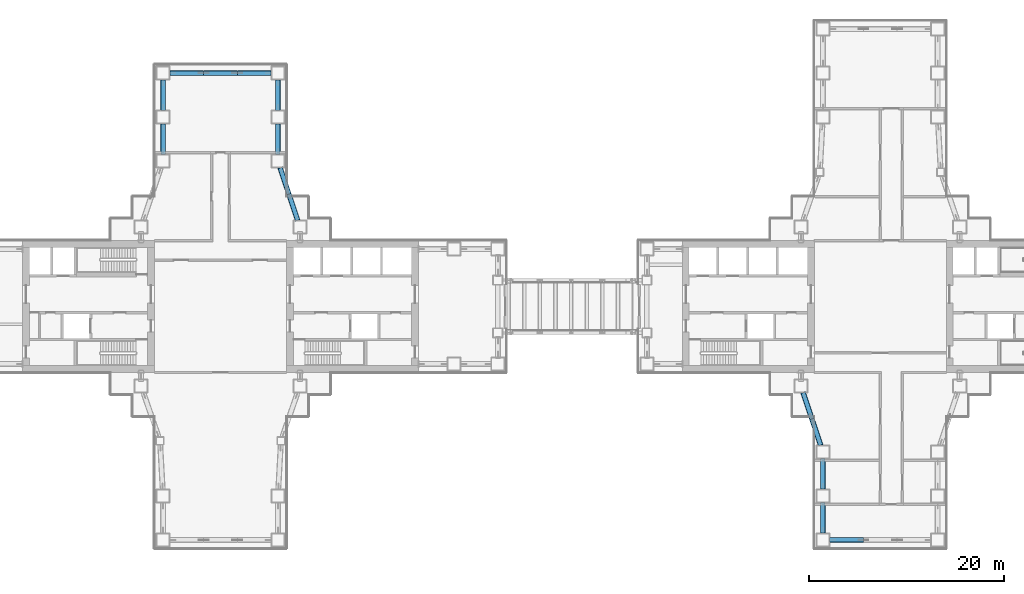
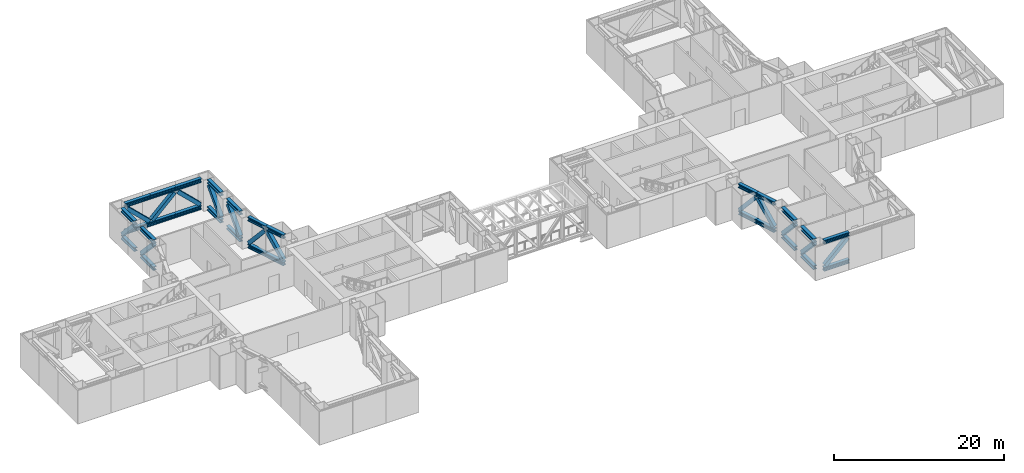
# One storey, part 5 of 23: 42 members.
"""IFC4 building model written with IfcOpenShell, lengths in metres."""

from ifc_helpers import new_model, si_unit, direction, frame, origin, origin_2d, place, context, subcontext, project, spatial, hollow_rectangle, i_section, extrude, material, material_profile, profile_set, type_object, element, save


model = new_model("IFC4")

# Units and contexts
model_context = context("Model", 3, precision=1e-05, world=origin(), true_north=direction((0.0, 1.0)))
body_context = subcontext(model_context, "Body", "Model", "MODEL_VIEW")
ifc_project = project(units=[si_unit("LENGTHUNIT", "METRE"), si_unit("AREAUNIT", "SQUARE_METRE"), si_unit("VOLUMEUNIT", "CUBIC_METRE"), si_unit("PLANEANGLEUNIT", "RADIAN"), si_unit("MASSUNIT", "GRAM", prefix="KILO")], contexts=[model_context])

# Site, building, storey
site_placement = place(None, origin())
site = spatial("IfcSite", under=ifc_project, at=site_placement, CompositionType="ELEMENT")
building_placement = place(site_placement, origin())
building = spatial("IfcBuilding", under=site, at=building_placement, Name="Shamsa Quay Exchange Towers", CompositionType="ELEMENT")
storey_placement = place(building_placement, frame((0.0, 0.0, 77.10009765625)))
storey = spatial("IfcBuildingStorey", under=building, at=storey_placement, Name="L17", CompositionType="ELEMENT", Elevation=77.10009765625)

# Members
ifc_material = material(Name="Steel S355", Category="steel")
ifc_material_profile_1 = material_profile(ifc_material, i_section(OverallWidth=0.454345703125, OverallDepth=0.569580078125, WebThickness=0.077880859375, FlangeThickness=0.124755859375, at=origin_2d()), Name="W14x730")
ifc_profile_set_1 = profile_set([ifc_material_profile_1], Name="Steel S355")
member_type_1 = type_object("IfcMemberType", Name="Belt chord W14x730", PredefinedType="CHORD", material=ifc_profile_set_1)
for number, where, z_axis, x_axis, name in (
    (1, (-25.8583984375, 8.824951171875, 4.1650390625), (-0.316201790943, 0.948691956013, 0.0), (-0.948691956013, -0.316201790943, 0.0), "Belt truss chord T1 L17 20"),
    (2, (-25.8583984375, 8.824951171875, 0.28466796875), (-0.316201790943, 0.948691956013, 0.0), (-0.948691956013, -0.316201790943, 0.0), "Belt truss chord T1 L17 20"),
    (3, (-26.75, 11.5, 4.1650390625), (-0.316201790943, 0.948691956013, 0.0), (-0.948691956013, -0.316201790943, 0.0), "Belt truss chord T1 L17 20"),
    (4, (-26.75, 11.5, 0.28466796875), (-0.316201790943, 0.948691956013, 0.0), (-0.948691956013, -0.316201790943, 0.0), "Belt truss chord T1 L17 20"),
):
    element("IfcMember", number, at=place(storey_placement, frame(where, z_axis=z_axis, x_axis=x_axis)), inside=storey, type_object=member_type_1, Name=name, PredefinedType="CHORD", context=body_context, shape_type="SweptSolid", body=[
        extrude(i_section(OverallWidth=0.454345703125, OverallDepth=0.569580078125, WebThickness=0.077880859375, FlangeThickness=0.124755859375, at=origin_2d()), origin(), (0.0, 0.0, 1.0), 2.81982421875),
    ])
for number, where, z_axis, x_axis, name in (
    (5, (-27.875, 15.574951171875, 4.1650390625), (0.0, 1.0, 0.0), (-1.0, 0.0, 0.0), "Belt truss chord T1 L17 21"),
    (6, (-27.875, 15.574951171875, 0.28466796875), (0.0, 1.0, 0.0), (-1.0, 0.0, 0.0), "Belt truss chord T1 L17 21"),
    (7, (-27.875, 20.074951171875, 4.1650390625), (0.0, 1.0, 0.0), (-1.0, 0.0, 0.0), "Belt truss chord T1 L17 22"),
    (8, (-27.875, 20.074951171875, 0.28466796875), (0.0, 1.0, 0.0), (-1.0, 0.0, 0.0), "Belt truss chord T1 L17 22"),
):
    element("IfcMember", number, at=place(storey_placement, frame(where, z_axis=z_axis, x_axis=x_axis)), inside=storey, type_object=member_type_1, Name=name, PredefinedType="CHORD", context=body_context, shape_type="SweptSolid", body=[
        extrude(i_section(OverallWidth=0.454345703125, OverallDepth=0.569580078125, WebThickness=0.077880859375, FlangeThickness=0.124755859375, at=origin_2d()), origin(), (0.0, 0.0, 1.0), 3.10009765625),
    ])
for number, where, z_axis, x_axis, name in (
    (9, (-28.574951171875, 23.875, 4.1650390625), (-1.0, 0.0, 0.0), (0.0, -1.0, 0.0), "Belt truss chord T1 L17 23"),
    (10, (-28.574951171875, 23.875, 0.28466796875), (-1.0, 0.0, 0.0), (0.0, -1.0, 0.0), "Belt truss chord T1 L17 23"),
):
    element("IfcMember", number, at=place(storey_placement, frame(where, z_axis=z_axis, x_axis=x_axis)), inside=storey, type_object=member_type_1, Name=name, PredefinedType="CHORD", context=body_context, shape_type="SweptSolid", body=[
        extrude(i_section(OverallWidth=0.454345703125, OverallDepth=0.569580078125, WebThickness=0.077880859375, FlangeThickness=0.124755859375, at=origin_2d()), origin(), (0.0, 0.0, 1.0), 3.449951171875),
    ])
for number, where, z_axis, x_axis, name in (
    (11, (-32.02490234375, 23.875, 4.1650390625), (-1.0, 0.0, 0.0), (0.0, -1.0, 0.0), "Belt truss chord T1 L17 23"),
    (12, (-32.02490234375, 23.875, 0.28466796875), (-1.0, 0.0, 0.0), (0.0, -1.0, 0.0), "Belt truss chord T1 L17 23"),
):
    element("IfcMember", number, at=place(storey_placement, frame(where, z_axis=z_axis, x_axis=x_axis)), inside=storey, type_object=member_type_1, Name=name, PredefinedType="CHORD", context=body_context, shape_type="SweptSolid", body=[
        extrude(i_section(OverallWidth=0.454345703125, OverallDepth=0.569580078125, WebThickness=0.077880859375, FlangeThickness=0.124755859375, at=origin_2d()), origin(), (0.0, 0.0, 1.0), 3.4501953125),
    ])
for number, where, z_axis, x_axis, name in (
    (13, (-35.47509765625, 23.875, 4.1650390625), (-1.0, 0.0, 0.0), (0.0, -1.0, 0.0), "Belt truss chord T1 L17 23"),
    (14, (-35.47509765625, 23.875, 0.28466796875), (-1.0, 0.0, 0.0), (0.0, -1.0, 0.0), "Belt truss chord T1 L17 23"),
):
    element("IfcMember", number, at=place(storey_placement, frame(where, z_axis=z_axis, x_axis=x_axis)), inside=storey, type_object=member_type_1, Name=name, PredefinedType="CHORD", context=body_context, shape_type="SweptSolid", body=[
        extrude(i_section(OverallWidth=0.454345703125, OverallDepth=0.569580078125, WebThickness=0.077880859375, FlangeThickness=0.124755859375, at=origin_2d()), origin(), (0.0, 0.0, 1.0), 3.449951171875),
    ])
for number, where, z_axis, x_axis, name in (
    (15, (-39.625, 23.175048828125, 4.1650390625), (0.0, -1.0, 0.0), (1.0, 0.0, 0.0), "Belt truss chord T1 L17 24"),
    (16, (-39.625, 23.175048828125, 0.28466796875), (0.0, -1.0, 0.0), (1.0, 0.0, 0.0), "Belt truss chord T1 L17 24"),
    (17, (-39.625, 18.675048828125, 4.1650390625), (0.0, -1.0, 0.0), (1.0, 0.0, 0.0), "Belt truss chord T1 L17 25"),
    (18, (-39.625, 18.675048828125, 0.28466796875), (0.0, -1.0, 0.0), (1.0, 0.0, 0.0), "Belt truss chord T1 L17 25"),
):
    element("IfcMember", number, at=place(storey_placement, frame(where, z_axis=z_axis, x_axis=x_axis)), inside=storey, type_object=member_type_1, Name=name, PredefinedType="CHORD", context=body_context, shape_type="SweptSolid", body=[
        extrude(i_section(OverallWidth=0.454345703125, OverallDepth=0.569580078125, WebThickness=0.077880859375, FlangeThickness=0.124755859375, at=origin_2d()), origin(), (0.0, 0.0, 1.0), 3.10009765625),
    ])
for number, where, z_axis, x_axis, name in (
    (19, (25.8583984375, -8.824951171875, 4.1650390625), (0.316201790943, -0.948691956013, 0.0), (0.948691956013, 0.316201790943, 0.0), "Belt truss chord T2 L17 3"),
    (20, (25.8583984375, -8.824951171875, 0.28466796875), (0.316201790943, -0.948691956013, 0.0), (0.948691956013, 0.316201790943, 0.0), "Belt truss chord T2 L17 3"),
    (21, (26.75, -11.5, 4.1650390625), (0.316201790943, -0.948691956013, 0.0), (0.948691956013, 0.316201790943, 0.0), "Belt truss chord T2 L17 3"),
    (22, (26.75, -11.5, 0.28466796875), (0.316201790943, -0.948691956013, 0.0), (0.948691956013, 0.316201790943, 0.0), "Belt truss chord T2 L17 3"),
):
    element("IfcMember", number, at=place(storey_placement, frame(where, z_axis=z_axis, x_axis=x_axis)), inside=storey, type_object=member_type_1, Name=name, PredefinedType="CHORD", context=body_context, shape_type="SweptSolid", body=[
        extrude(i_section(OverallWidth=0.454345703125, OverallDepth=0.569580078125, WebThickness=0.077880859375, FlangeThickness=0.124755859375, at=origin_2d()), origin(), (0.0, 0.0, 1.0), 2.81982421875),
    ])
for number, where, z_axis, x_axis, name in (
    (23, (27.875, -15.574951171875, 4.1650390625), (0.0, -1.0, 0.0), (1.0, 0.0, 0.0), "Belt truss chord T2 L17 4"),
    (24, (27.875, -15.574951171875, 0.28466796875), (0.0, -1.0, 0.0), (1.0, 0.0, 0.0), "Belt truss chord T2 L17 4"),
    (25, (27.875, -20.074951171875, 4.1650390625), (0.0, -1.0, 0.0), (1.0, 0.0, 0.0), "Belt truss chord T2 L17 5"),
    (26, (27.875, -20.074951171875, 0.28466796875), (0.0, -1.0, 0.0), (1.0, 0.0, 0.0), "Belt truss chord T2 L17 5"),
):
    element("IfcMember", number, at=place(storey_placement, frame(where, z_axis=z_axis, x_axis=x_axis)), inside=storey, type_object=member_type_1, Name=name, PredefinedType="CHORD", context=body_context, shape_type="SweptSolid", body=[
        extrude(i_section(OverallWidth=0.454345703125, OverallDepth=0.569580078125, WebThickness=0.077880859375, FlangeThickness=0.124755859375, at=origin_2d()), origin(), (0.0, 0.0, 1.0), 3.10009765625),
    ])
for number, where, z_axis, x_axis, name in (
    (27, (28.574951171875, -23.875, 4.1650390625), (1.0, 0.0, 0.0), (0.0, 1.0, 0.0), "Belt truss chord T2 L17 6"),
    (28, (28.574951171875, -23.875, 0.28466796875), (1.0, 0.0, 0.0), (0.0, 1.0, 0.0), "Belt truss chord T2 L17 6"),
):
    element("IfcMember", number, at=place(storey_placement, frame(where, z_axis=z_axis, x_axis=x_axis)), inside=storey, type_object=member_type_1, Name=name, PredefinedType="CHORD", context=body_context, shape_type="SweptSolid", body=[
        extrude(i_section(OverallWidth=0.454345703125, OverallDepth=0.569580078125, WebThickness=0.077880859375, FlangeThickness=0.124755859375, at=origin_2d()), origin(), (0.0, 0.0, 1.0), 3.449951171875),
    ])
ifc_material_profile_2 = material_profile(ifc_material, hollow_rectangle(XDim=0.508056640625, YDim=0.508056640625, WallThickness=0.01904296875, at=origin_2d()), Name="HSS20x20x3/4")
ifc_profile_set_2 = profile_set([ifc_material_profile_2], Name="Steel S355")
member_type_2 = type_object("IfcMemberType", Name="Belt diagonal HSS20x20x3/4", PredefinedType="BRACE", material=ifc_profile_set_2)
for number, where, z_axis, x_axis, name in (
    (29, (-25.902587890625, 8.9580078125, 0.734130859375), (-0.205029563551, 0.615088690654, 0.761333554166), (-0.948683298051, -0.316227766017, 0.0), "Belt truss diagonal T1 L17 20"),
    (30, (-27.597412109375, 14.0419921875, 0.734130859375), (0.205029563551, -0.615088690654, 0.761333554166), (0.948683298051, 0.316227766017, 0.0), "Belt truss diagonal T1 L17 20"),
):
    element("IfcMember", number, at=place(storey_placement, frame(where, z_axis=z_axis, x_axis=x_axis)), inside=storey, type_object=member_type_2, Name=name, PredefinedType="BRACE", context=body_context, shape_type="SweptSolid", body=[
        extrude(hollow_rectangle(XDim=0.508056640625, YDim=0.508056640625, WallThickness=0.01904296875, at=origin_2d()), origin(), (0.0, 0.0, 1.0), 3.91650390625),
    ])
for number, where, z_axis, x_axis, name in (
    (31, (-27.875, 15.737548828125, 0.742919921875), (0.0, 0.683452924295, 0.729994589208), (-1.0, 0.0, 0.0), "Belt truss diagonal T1 L17 21"),
    (32, (-27.875, 20.237548828125, 0.742919921875), (0.0, 0.683452924295, 0.729994589208), (-1.0, 0.0, 0.0), "Belt truss diagonal T1 L17 22"),
):
    element("IfcMember", number, at=place(storey_placement, frame(where, z_axis=z_axis, x_axis=x_axis)), inside=storey, type_object=member_type_2, Name=name, PredefinedType="BRACE", context=body_context, shape_type="SweptSolid", body=[
        extrude(hollow_rectangle(XDim=0.508056640625, YDim=0.508056640625, WallThickness=0.01904296875, at=origin_2d()), origin(), (0.0, 0.0, 1.0), 4.06005859375),
    ])
member_1_placement = place(storey_placement, frame((-28.765869140625, 23.875, 0.752685546875), z_axis=(-0.721511218658, 0.0, 0.692402745048), x_axis=(0.0, -1.0, 0.0)))
element("IfcMember", 33, at=member_1_placement, inside=storey, type_object=member_type_2, Name="Belt truss diagonal T1 L17 23", PredefinedType="BRACE", context=body_context, shape_type="SweptSolid", body=[
    extrude(hollow_rectangle(XDim=0.508056640625, YDim=0.508056640625, WallThickness=0.01904296875, at=origin_2d()), origin(), (0.0, 0.0, 1.0), 4.25244140625),
])
member_2_placement = place(storey_placement, frame((-35.283935546875, 23.875, 0.752685546875), z_axis=(0.72148369184, 0.0, 0.692431427947), x_axis=(0.0, 1.0, 0.0)))
element("IfcMember", 34, at=member_2_placement, inside=storey, type_object=member_type_2, Name="Belt truss diagonal T1 L17 23", PredefinedType="BRACE", context=body_context, shape_type="SweptSolid", body=[
    extrude(hollow_rectangle(XDim=0.508056640625, YDim=0.508056640625, WallThickness=0.01904296875, at=origin_2d()), origin(), (0.0, 0.0, 1.0), 4.252197265625),
])
member_3_placement = place(storey_placement, frame((-35.666015625, 23.875, 0.752685546875), z_axis=(-0.721511218658, 0.0, 0.692402745048), x_axis=(0.0, -1.0, 0.0)))
element("IfcMember", 35, at=member_3_placement, inside=storey, type_object=member_type_2, Name="Belt truss diagonal T1 L17 23", PredefinedType="BRACE", context=body_context, shape_type="SweptSolid", body=[
    extrude(hollow_rectangle(XDim=0.508056640625, YDim=0.508056640625, WallThickness=0.01904296875, at=origin_2d()), origin(), (0.0, 0.0, 1.0), 4.25244140625),
])
for number, where, z_axis, x_axis, name in (
    (36, (-39.625, 23.012451171875, 0.742919921875), (0.0, -0.683452924295, 0.729994589208), (1.0, 0.0, 0.0), "Belt truss diagonal T1 L17 24"),
    (37, (-39.625, 18.512451171875, 0.742919921875), (0.0, -0.683452924295, 0.729994589208), (1.0, 0.0, 0.0), "Belt truss diagonal T1 L17 25"),
):
    element("IfcMember", number, at=place(storey_placement, frame(where, z_axis=z_axis, x_axis=x_axis)), inside=storey, type_object=member_type_2, Name=name, PredefinedType="BRACE", context=body_context, shape_type="SweptSolid", body=[
        extrude(hollow_rectangle(XDim=0.508056640625, YDim=0.508056640625, WallThickness=0.01904296875, at=origin_2d()), origin(), (0.0, 0.0, 1.0), 4.06005859375),
    ])
for number, where, z_axis, x_axis, name in (
    (38, (25.902587890625, -8.9580078125, 0.734130859375), (0.205029563551, -0.615088690654, 0.761333554166), (0.948683298051, 0.316227766017, 0.0), "Belt truss diagonal T2 L17 3"),
    (39, (27.597412109375, -14.0419921875, 0.734130859375), (-0.205029563551, 0.615088690654, 0.761333554166), (-0.948683298051, -0.316227766017, 0.0), "Belt truss diagonal T2 L17 3"),
):
    element("IfcMember", number, at=place(storey_placement, frame(where, z_axis=z_axis, x_axis=x_axis)), inside=storey, type_object=member_type_2, Name=name, PredefinedType="BRACE", context=body_context, shape_type="SweptSolid", body=[
        extrude(hollow_rectangle(XDim=0.508056640625, YDim=0.508056640625, WallThickness=0.01904296875, at=origin_2d()), origin(), (0.0, 0.0, 1.0), 3.91650390625),
    ])
for number, where, z_axis, x_axis, name in (
    (40, (27.875, -15.737548828125, 0.742919921875), (0.0, -0.683452924295, 0.729994589208), (1.0, 0.0, 0.0), "Belt truss diagonal T2 L17 4"),
    (41, (27.875, -20.237548828125, 0.742919921875), (0.0, -0.683452924295, 0.729994589208), (1.0, 0.0, 0.0), "Belt truss diagonal T2 L17 5"),
):
    element("IfcMember", number, at=place(storey_placement, frame(where, z_axis=z_axis, x_axis=x_axis)), inside=storey, type_object=member_type_2, Name=name, PredefinedType="BRACE", context=body_context, shape_type="SweptSolid", body=[
        extrude(hollow_rectangle(XDim=0.508056640625, YDim=0.508056640625, WallThickness=0.01904296875, at=origin_2d()), origin(), (0.0, 0.0, 1.0), 4.06005859375),
    ])
member_4_placement = place(storey_placement, frame((28.765869140625, -23.875, 0.752685546875), z_axis=(0.721511218658, 0.0, 0.692402745048), x_axis=(0.0, 1.0, 0.0)))
element("IfcMember", 42, at=member_4_placement, inside=storey, type_object=member_type_2, Name="Belt truss diagonal T2 L17 6", PredefinedType="BRACE", context=body_context, shape_type="SweptSolid", body=[
    extrude(hollow_rectangle(XDim=0.508056640625, YDim=0.508056640625, WallThickness=0.01904296875, at=origin_2d()), origin(), (0.0, 0.0, 1.0), 4.25244140625),
])

save(model, "model.ifc")
